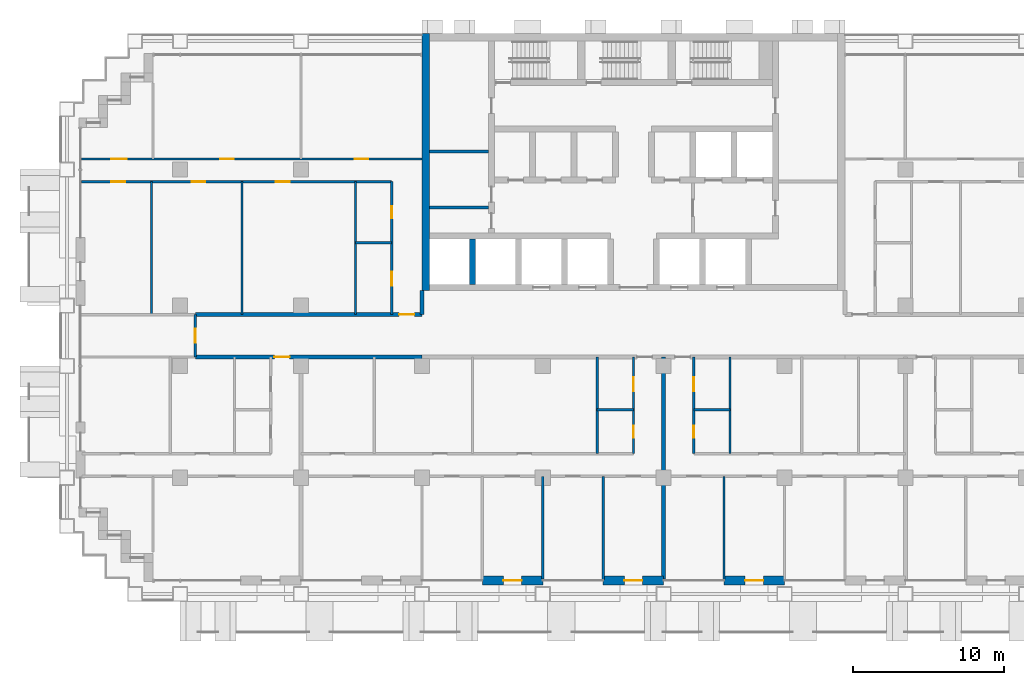
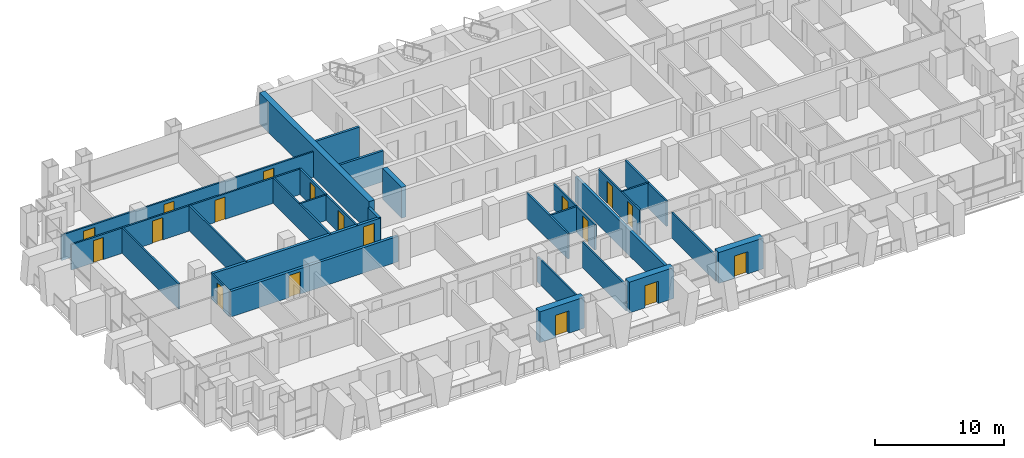
# One storey, part 10 of 18: 28 walls, 18 doors, 18 openings.
"""IFC4 building model written with IfcOpenShell, lengths in metres."""

import ifcopenshell
import ifcopenshell.guid

model = None  # the IFC model being written
_history = None  # IfcOwnerHistory: only IFC2X3 demands one
_inside = {}  # id of a spatial element -> (the spatial element, [elements in it])
_under = {}  # id of a project, library or spatial element -> (it, [spatial elements below it])
_declared = {}  # id of a project -> (the project, [libraries it declares])
_typed = {}  # id of a type object -> (the type object, [elements of that type])
_made_of = {}  # id of a material, layer set ... -> (it, [elements and type objects made of it])


def new_model(schema):
    """Start an empty IFC model of exactly this schema.

    Asked for "IFC4X3", IfcOpenShell would pick the latest addendum, in which some entities
    have other attributes; the version numbers below select the first issue.
    IFC2X3 requires an IfcOwnerHistory on every rooted entity: one is made here for all.
    """
    global model, _history
    if schema == "IFC4X3":
        model = ifcopenshell.file(schema_version=(4, 3, 0, 0))
    else:
        model = ifcopenshell.file(schema=schema)
    _inside.clear()
    _under.clear()
    _declared.clear()
    _typed.clear()
    _made_of.clear()
    _history = None
    if model.schema == "IFC2X3":
        org = make("IfcOrganization", Name="unknown")
        user = make(
            "IfcPersonAndOrganization",
            ThePerson=make("IfcPerson", FamilyName="unknown"),
            TheOrganization=org,
        )
        app = make(
            "IfcApplication",
            ApplicationDeveloper=org,
            Version="unknown",
            ApplicationFullName="unknown",
            ApplicationIdentifier="unknown",
        )
        _history = make(
            "IfcOwnerHistory",
            OwningUser=user,
            OwningApplication=app,
            ChangeAction="ADDED",
            CreationDate=0,
        )
    return model


def make(cls, **values):
    """One entity of the class cls with the attributes given. An attribute that is None is left unset."""
    return model.create_entity(
        cls, **{name: value for name, value in values.items() if value is not None}
    )


def rooted(cls, **values):
    """An entity with a GlobalId (a new one), such as an element, a storey or a relation."""
    return make(cls, GlobalId=ifcopenshell.guid.new(), OwnerHistory=_history, **values)


def si_unit(unit_type, name, prefix=None):
    """IfcSIUnit, for example si_unit("LENGTHUNIT", "METRE", prefix="MILLI")."""
    return make("IfcSIUnit", UnitType=unit_type, Prefix=prefix, Name=name)


def assignment(units):
    """IfcUnitAssignment: the units of a project."""
    return None if units is None else make("IfcUnitAssignment", Units=units)


def point(xyz):
    """IfcCartesianPoint."""
    return None if xyz is None else make("IfcCartesianPoint", Coordinates=xyz)


def direction(xyz):
    """IfcDirection."""
    return None if xyz is None else make("IfcDirection", DirectionRatios=xyz)


def frame(location, z_axis=None, x_axis=None):
    """IfcAxis2Placement3D, a coordinate frame: its origin and axes. An axis left out is left unset."""
    return make(
        "IfcAxis2Placement3D",
        Location=point(location),
        Axis=direction(z_axis),
        RefDirection=direction(x_axis),
    )


def frame_2d(location, x_axis=None):
    """IfcAxis2Placement2D, a coordinate frame in the plane: its origin and x axis."""
    return make(
        "IfcAxis2Placement2D", Location=point(location), RefDirection=direction(x_axis)
    )


def origin():
    """The frame at (0, 0, 0) with its axes left unset."""
    return frame((0.0, 0.0, 0.0))


def place(relative_to, where):
    """IfcLocalPlacement: puts the frame where relative to a parent placement (None: the world)."""
    return make(
        "IfcLocalPlacement", PlacementRelTo=relative_to, RelativePlacement=where
    )


def context(
    kind, dimensions, precision=None, world=None, true_north=None, identifier=None
):
    """IfcGeometricRepresentationContext, for example the 3D "Model" context."""
    return make(
        "IfcGeometricRepresentationContext",
        ContextIdentifier=identifier,
        ContextType=kind,
        CoordinateSpaceDimension=dimensions,
        Precision=precision,
        WorldCoordinateSystem=world,
        TrueNorth=true_north,
    )


def subcontext(parent, identifier, kind, view, scale=None):
    """IfcGeometricRepresentationSubContext, for example "Body" below "Model"."""
    return make(
        "IfcGeometricRepresentationSubContext",
        ContextIdentifier=identifier,
        ContextType=kind,
        ParentContext=parent,
        TargetScale=scale,
        TargetView=view,
    )


def project(units=None, contexts=None):
    """IfcProject with its units and contexts."""
    return rooted(
        "IfcProject",
        Name="project",
        RepresentationContexts=contexts,
        UnitsInContext=assignment(units),
    )


def spatial(cls, under=None, at=None, **own):
    """A site, building, storey or space (cls), placed at a placement, below another one or the project."""
    s = rooted(cls, ObjectPlacement=at, **own)
    if under is not None:
        _under.setdefault(under.id(), (under, []))[1].append(s)
    return s


def profile(cls, at=None, kind="AREA", **sizes):
    """A parametric profile (cls). Its sizes go by their IFC names, for example OverallWidth=200.0."""
    return make(cls, ProfileType=kind, Position=at, **sizes)


def rectangle(**sizes):
    """IfcRectangleProfileDef."""
    return profile("IfcRectangleProfileDef", **sizes)


def extrude(swept, where, along, depth):
    """IfcExtrudedAreaSolid: the profile swept, set in the frame where, extruded along a direction by depth."""
    return make(
        "IfcExtrudedAreaSolid",
        SweptArea=swept,
        Position=where,
        ExtrudedDirection=direction(along),
        Depth=depth,
    )


def shape(context_of_items, identifier, shape_type, items):
    """IfcShapeRepresentation: the items that make up one representation, for example the "Body"."""
    return make(
        "IfcShapeRepresentation",
        ContextOfItems=context_of_items,
        RepresentationIdentifier=identifier,
        RepresentationType=shape_type,
        Items=items,
    )


def material(Name=None, Category=None):
    """IfcMaterial."""
    return make("IfcMaterial", Name=Name, Category=Category)


def layer(
    of_material, thickness, ventilated=None, Name=None, Category=None, Priority=None
):
    """IfcMaterialLayer: one layer of a wall or slab, of a material (None: an air gap)."""
    return make(
        "IfcMaterialLayer",
        Material=of_material,
        LayerThickness=thickness,
        IsVentilated=ventilated,
        Name=Name,
        Category=Category,
        Priority=Priority,
    )


def layer_set(layers, Name=None):
    """IfcMaterialLayerSet."""
    return make("IfcMaterialLayerSet", MaterialLayers=layers, LayerSetName=Name)


def made_of(thing, what):
    """Note that an element or type object is made of a material, layer set ...; save() writes the relation."""
    if what is not None:
        _made_of.setdefault(what.id(), (what, []))[1].append(thing)
    return thing


def type_object(cls, material=None, **own):
    """A type object (cls), such as IfcWallType, which elements share."""
    return made_of(rooted(cls, **own), material)


def element(
    cls,
    number,
    at=None,
    inside=None,
    cuts=None,
    type_object=None,
    material=None,
    context=None,
    identifier="Body",
    shape_type=None,
    held_by="IfcProductDefinitionShape",
    body=None,
    shapes=None,
    **own,
):
    """One element of the class cls, such as IfcWall. Its Tag is "e" and its number.

    at: its placement. inside: the storey or other place that contains it. cuts: it is an
    opening in that element (IfcRelVoidsElement). A single representation is given by context,
    identifier, shape_type and body (its items); several are given by shapes. held_by: the class
    of the entity that holds the representations. save() writes the other relations.
    """
    e = rooted(cls, Tag="e%d" % number, ObjectPlacement=at, **own)
    if body is not None:
        shapes = [shape(context, identifier, shape_type, body)]
    if shapes is not None:
        e.Representation = make(held_by, Representations=shapes)
    if inside is not None:
        _inside.setdefault(inside.id(), (inside, []))[1].append(e)
    if cuts is not None:
        rooted(
            "IfcRelVoidsElement", RelatingBuildingElement=cuts, RelatedOpeningElement=e
        )
    if type_object is not None:
        _typed.setdefault(type_object.id(), (type_object, []))[1].append(e)
    return made_of(e, material)


def fill(opening, filler):
    """IfcRelFillsElement: the door or window that sits in an opening."""
    return rooted(
        "IfcRelFillsElement",
        RelatingOpeningElement=opening,
        RelatedBuildingElement=filler,
    )


def aggregate(whole, parts):
    """IfcRelAggregates: a whole, such as a stair, and the parts it consists of."""
    return rooted("IfcRelAggregates", RelatingObject=whole, RelatedObjects=parts)


def save(model, path):
    """Write the relations noted so far, then the file.

    IfcRelAggregates (storeys below a building ...), IfcRelContainedInSpatialStructure (elements
    in a storey), IfcRelDefinesByType, IfcRelAssociatesMaterial and IfcRelDeclares: one each for
    every whole, place, type object, material and project.
    """
    for whole, parts in _under.values():
        aggregate(whole, parts)
    for where, things in _inside.values():
        rooted(
            "IfcRelContainedInSpatialStructure",
            RelatedElements=things,
            RelatingStructure=where,
        )
    for kind, things in _typed.values():
        rooted("IfcRelDefinesByType", RelatedObjects=things, RelatingType=kind)
    for what, things in _made_of.values():
        rooted("IfcRelAssociatesMaterial", RelatedObjects=things, RelatingMaterial=what)
    for by, libraries in _declared.values():
        rooted("IfcRelDeclares", RelatingContext=by, RelatedDefinitions=libraries)
    model.write(path)


model = new_model("IFC4")

# Units and contexts
model_context = context("Model", 3, precision=1e-05, world=origin(), true_north=direction((0.0, 1.0)))
body_context = subcontext(model_context, "Body", "Model", "MODEL_VIEW")
ifc_project = project(units=[si_unit("LENGTHUNIT", "METRE"), si_unit("AREAUNIT", "SQUARE_METRE"), si_unit("VOLUMEUNIT", "CUBIC_METRE"), si_unit("PLANEANGLEUNIT", "RADIAN"), si_unit("MASSUNIT", "GRAM", prefix="KILO")], contexts=[model_context])

# Site, building, storey
site_placement = place(None, origin())
site = spatial("IfcSite", under=ifc_project, at=site_placement, CompositionType="ELEMENT")
building_placement = place(site_placement, origin())
building = spatial("IfcBuilding", under=site, at=building_placement, Name="Vidyagriha Tower", CompositionType="ELEMENT")
storey_placement = place(building_placement, frame((0.0, 0.0, 41.60009765625)))
storey = spatial("IfcBuildingStorey", under=building, at=storey_placement, Name="L10", CompositionType="ELEMENT", Elevation=41.60009765625)

# Wall, opening, door
ifc_material_1 = material(Name="Precast concrete C40/50 with brick facing", Category="concrete")
ifc_layer_1 = layer(ifc_material_1, 0.60009765625)
ifc_layer_set_1 = layer_set([ifc_layer_1], Name="Precast concrete C40/50 with brick facing")
wall_type_1 = type_object("IfcWallType", Name="Brick-faced precast wall 600", PredefinedType="STANDARD", material=ifc_layer_set_1)
wall_1_placement = place(storey_placement, frame((-10.0, -16.199951171875, 0.0)))
wall_1 = element("IfcWall", 1, at=wall_1_placement, inside=storey, type_object=wall_type_1, Name="Brick door bay wall L10 R23.7", PredefinedType="STANDARD", context=body_context, shape_type="SweptSolid", body=[
    extrude(rectangle(XDim=4.0, YDim=0.60009765625, at=frame_2d((2.0, 0.0))), origin(), (0.0, 0.0, 1.0), 2.919921875),
])
opening_1_placement = place(wall_1_placement, frame((1.39990234375, 0.0, 0.0)))
opening_1 = element("IfcOpeningElement", 2, at=opening_1_placement, cuts=wall_1, Name="Opening D10-81", PredefinedType="OPENING", context=body_context, shape_type="SweptSolid", body=[
    extrude(rectangle(XDim=1.199951171875, YDim=2.10009765625, at=frame_2d((0.60009765625, 1.050048828125))), frame((0.0, 0.31005859375, 0.0), z_axis=(0.0, -1.0, 0.0), x_axis=(1.0, 0.0, 0.0)), (0.0, 0.0, 1.0), 0.6201171875),
])
ifc_material_2 = material(Name="Aluminium framed glazed sliding door", Category="aluminium")
door_type_1 = type_object("IfcDoorType", Name="Balcony sliding door 1200x2100", OperationType="NOTDEFINED", PredefinedType="DOOR", material=ifc_material_2)
door_1_placement = place(opening_1_placement, origin())
door_1 = element("IfcDoor", 3, at=door_1_placement, inside=storey, type_object=door_type_1, Name="Door D10-81", OperationType="SLIDING_TO_LEFT", OverallHeight=2.10009765625, OverallWidth=1.199951171875, PredefinedType="DOOR", context=body_context, shape_type="SweptSolid", body=[
    extrude(rectangle(XDim=1.199951171875, YDim=2.10009765625, at=frame_2d((0.60009765625, 1.050048828125))), frame((0.0, 0.02490234375, 0.0), z_axis=(0.0, -1.0, 0.0), x_axis=(1.0, 0.0, 0.0)), (0.0, 0.0, 1.0), 0.050048828125),
])
fill(opening_1, door_1)

wall_2_placement = place(storey_placement, frame((-2.0, -16.199951171875, 0.0)))
wall_2 = element("IfcWall", 4, at=wall_2_placement, inside=storey, type_object=wall_type_1, Name="Brick door bay wall L10 R23.9", PredefinedType="STANDARD", context=body_context, shape_type="SweptSolid", body=[
    extrude(rectangle(XDim=4.0, YDim=0.60009765625, at=frame_2d((2.0, 0.0))), origin(), (0.0, 0.0, 1.0), 2.919921875),
])
opening_2_placement = place(wall_2_placement, frame((1.39990234375, 0.0, 0.0)))
opening_2 = element("IfcOpeningElement", 5, at=opening_2_placement, cuts=wall_2, Name="Opening D10-82", PredefinedType="OPENING", context=body_context, shape_type="SweptSolid", body=[
    extrude(rectangle(XDim=1.199951171875, YDim=2.10009765625, at=frame_2d((0.60009765625, 1.050048828125))), frame((0.0, 0.31005859375, 0.0), z_axis=(0.0, -1.0, 0.0), x_axis=(1.0, 0.0, 0.0)), (0.0, 0.0, 1.0), 0.6201171875),
])
door_2_placement = place(opening_2_placement, origin())
door_2 = element("IfcDoor", 6, at=door_2_placement, inside=storey, type_object=door_type_1, Name="Door D10-82", OperationType="SLIDING_TO_LEFT", OverallHeight=2.10009765625, OverallWidth=1.199951171875, PredefinedType="DOOR", context=body_context, shape_type="SweptSolid", body=[
    extrude(rectangle(XDim=1.199951171875, YDim=2.10009765625, at=frame_2d((0.60009765625, 1.050048828125))), frame((0.0, 0.02490234375, 0.0), z_axis=(0.0, -1.0, 0.0), x_axis=(1.0, 0.0, 0.0)), (0.0, 0.0, 1.0), 0.050048828125),
])
fill(opening_2, door_2)

wall_3_placement = place(storey_placement, frame((6.0, -16.199951171875, 0.0)))
wall_3 = element("IfcWall", 7, at=wall_3_placement, inside=storey, type_object=wall_type_1, Name="Brick door bay wall L10 R23.11", PredefinedType="STANDARD", context=body_context, shape_type="SweptSolid", body=[
    extrude(rectangle(XDim=4.0, YDim=0.60009765625, at=frame_2d((2.0, 0.0))), origin(), (0.0, 0.0, 1.0), 2.919921875),
])
opening_3_placement = place(wall_3_placement, frame((1.39990234375, 0.0, 0.0)))
opening_3 = element("IfcOpeningElement", 8, at=opening_3_placement, cuts=wall_3, Name="Opening D10-83", PredefinedType="OPENING", context=body_context, shape_type="SweptSolid", body=[
    extrude(rectangle(XDim=1.199951171875, YDim=2.10009765625, at=frame_2d((0.60009765625, 1.050048828125))), frame((0.0, 0.31005859375, 0.0), z_axis=(0.0, -1.0, 0.0), x_axis=(1.0, 0.0, 0.0)), (0.0, 0.0, 1.0), 0.6201171875),
])
door_3_placement = place(opening_3_placement, origin())
door_3 = element("IfcDoor", 9, at=door_3_placement, inside=storey, type_object=door_type_1, Name="Door D10-83", OperationType="SLIDING_TO_LEFT", OverallHeight=2.10009765625, OverallWidth=1.199951171875, PredefinedType="DOOR", context=body_context, shape_type="SweptSolid", body=[
    extrude(rectangle(XDim=1.199951171875, YDim=2.10009765625, at=frame_2d((0.60009765625, 1.050048828125))), frame((0.0, 0.02490234375, 0.0), z_axis=(0.0, -1.0, 0.0), x_axis=(1.0, 0.0, 0.0)), (0.0, 0.0, 1.0), 0.050048828125),
])
fill(opening_3, door_3)

# Walls
ifc_material_3 = material(Name="Concrete C60/75", Category="concrete")
ifc_layer_2 = layer(ifc_material_3, 0.39990234375)
ifc_layer_set_2 = layer_set([ifc_layer_2], Name="Concrete C60/75")
wall_type_2 = type_object("IfcWallType", Name="Core shear wall 400 mm", PredefinedType="SHEAR", material=ifc_layer_set_2)
wall_4_placement = place(storey_placement, frame((-10.655517578125, 3.39990234375, 0.0), z_axis=(0.0, 0.0, 1.0), x_axis=(0.0, 1.0, 0.0)))
element("IfcWall", 10, at=wall_4_placement, inside=storey, type_object=wall_type_2, Name="Core bay wall S1", PredefinedType="SHEAR", context=body_context, shape_type="SweptSolid", body=[
    extrude(rectangle(XDim=3.0, YDim=0.39990234375, at=frame_2d((1.5, 0.0))), origin(), (0.0, 0.0, 1.0), 2.919921875),
])
ifc_material_4 = material(Name="Concrete C60/75", Category="concrete")
ifc_layer_3 = layer(ifc_material_4, 0.5)
ifc_layer_set_3 = layer_set([ifc_layer_3], Name="Concrete C60/75")
wall_type_3 = type_object("IfcWallType", Name="Core shear wall 500 mm", PredefinedType="SHEAR", material=ifc_layer_set_3)
wall_5_placement = place(storey_placement, frame((-13.75, 3.0, 0.0), z_axis=(0.0, 0.0, 1.0), x_axis=(0.0, 1.0, 0.0)))
element("IfcWall", 11, at=wall_5_placement, inside=storey, type_object=wall_type_3, Name="Core west wall", PredefinedType="SHEAR", context=body_context, shape_type="SweptSolid", body=[
    extrude(rectangle(XDim=17.0, YDim=0.5, at=frame_2d((8.5, 0.0))), origin(), (0.0, 0.0, 1.0), 2.919921875),
])

# Wall, opening, door
ifc_material_5 = material(Name="Fired clay brick masonry", Category="masonry")
ifc_layer_4 = layer(ifc_material_5, 0.25)
ifc_layer_set_4 = layer_set([ifc_layer_4], Name="Fired clay brick masonry")
wall_type_4 = type_object("IfcWallType", Name="Fired clay brick corridor wall 250", PredefinedType="PARTITIONING", material=ifc_layer_set_4)
wall_6_placement = place(storey_placement, frame((-14.0, -1.39990234375, 0.0), z_axis=(0.0, 0.0, 1.0), x_axis=(-1.0, 0.0, 0.0)))
wall_6 = element("IfcWall", 12, at=wall_6_placement, inside=storey, type_object=wall_type_4, Name="Wall all-L10-w080", PredefinedType="PARTITIONING", context=body_context, shape_type="SweptSolid", body=[
    extrude(rectangle(XDim=15.0, YDim=0.25, at=frame_2d((7.5, 0.0))), origin(), (0.0, 0.0, 1.0), 2.39990234375),
])
opening_4_placement = place(wall_6_placement, frame((8.760009765625, 0.0, 0.0)))
opening_4 = element("IfcOpeningElement", 13, at=opening_4_placement, cuts=wall_6, Name="Opening D10-21", PredefinedType="OPENING", context=body_context, shape_type="SweptSolid", body=[
    extrude(rectangle(XDim=1.0, YDim=2.10009765625, at=frame_2d((0.5, 1.050048828125))), frame((0.0, 0.135009765625, 0.0), z_axis=(0.0, -1.0, 0.0), x_axis=(1.0, 0.0, 0.0)), (0.0, 0.0, 1.0), 0.27001953125),
])
ifc_material_6 = material(Name="Fire-rated timber door leaf EI 60", Category="wood")
door_type_2 = type_object("IfcDoorType", Name="Flat entrance fire door 1000x2100", OperationType="NOTDEFINED", PredefinedType="DOOR", material=ifc_material_6)
door_4_placement = place(opening_4_placement, origin())
door_4 = element("IfcDoor", 14, at=door_4_placement, inside=storey, type_object=door_type_2, Name="Door D10-21", OperationType="SINGLE_SWING_LEFT", OverallHeight=2.10009765625, OverallWidth=1.0, PredefinedType="DOOR", context=body_context, shape_type="SweptSolid", body=[
    extrude(rectangle(XDim=1.0, YDim=2.10009765625, at=frame_2d((0.5, 1.050048828125))), frame((0.0, 0.02490234375, 0.0), z_axis=(0.0, -1.0, 0.0), x_axis=(1.0, 0.0, 0.0)), (0.0, 0.0, 1.0), 0.050048828125),
])
fill(opening_4, door_4)

wall_7_placement = place(storey_placement, frame((-29.0, 1.39990234375, 0.0)))
wall_7 = element("IfcWall", 15, at=wall_7_placement, inside=storey, type_object=wall_type_4, Name="Wall all-L10-w102", PredefinedType="PARTITIONING", context=body_context, shape_type="SweptSolid", body=[
    extrude(rectangle(XDim=15.0, YDim=0.25, at=frame_2d((7.5, 0.0))), origin(), (0.0, 0.0, 1.0), 2.39990234375),
])
opening_5_placement = place(wall_7_placement, frame((13.5, 0.0, 0.0)))
opening_5 = element("IfcOpeningElement", 16, at=opening_5_placement, cuts=wall_7, Name="Opening D10-61", PredefinedType="OPENING", context=body_context, shape_type="SweptSolid", body=[
    extrude(rectangle(XDim=1.0, YDim=2.10009765625, at=frame_2d((0.5, 1.050048828125))), frame((0.0, 0.135009765625, 0.0), z_axis=(0.0, -1.0, 0.0), x_axis=(1.0, 0.0, 0.0)), (0.0, 0.0, 1.0), 0.27001953125),
])
door_5_placement = place(opening_5_placement, origin())
door_5 = element("IfcDoor", 17, at=door_5_placement, inside=storey, type_object=door_type_2, Name="Door D10-61", OperationType="SINGLE_SWING_RIGHT", OverallHeight=2.10009765625, OverallWidth=1.0, PredefinedType="DOOR", context=body_context, shape_type="SweptSolid", body=[
    extrude(rectangle(XDim=1.0, YDim=2.10009765625, at=frame_2d((0.5, 1.050048828125))), frame((0.0, 0.02490234375, 0.0), z_axis=(0.0, -1.0, 0.0), x_axis=(1.0, 0.0, 0.0)), (0.0, 0.0, 1.0), 0.050048828125),
])
fill(opening_5, door_5)

# Walls
wall_8_placement = place(storey_placement, frame((-14.0, 3.0, 0.0), z_axis=(0.0, 0.0, 1.0), x_axis=(0.0, -1.0, 0.0)))
element("IfcWall", 18, at=wall_8_placement, inside=storey, type_object=wall_type_4, Name="Wall all-L10-w138", PredefinedType="PARTITIONING", context=body_context, shape_type="SweptSolid", body=[
    extrude(rectangle(XDim=1.60009765625, YDim=0.25, at=frame_2d((0.800048828125, 0.0))), origin(), (0.0, 0.0, 1.0), 2.39990234375),
])
ifc_material_7 = material(Name="Fired clay brick masonry", Category="masonry")
ifc_layer_5 = layer(ifc_material_7, 0.25)
ifc_layer_set_5 = layer_set([ifc_layer_5], Name="Fired clay brick masonry")
wall_type_5 = type_object("IfcWallType", Name="Fired clay brick demising wall 250", PredefinedType="PARTITIONING", material=ifc_layer_set_5)
wall_9_placement = place(storey_placement, frame((2.0, -1.39990234375, 0.0), z_axis=(0.0, 0.0, 1.0), x_axis=(0.0, -1.0, 0.0)))
element("IfcWall", 19, at=wall_9_placement, inside=storey, type_object=wall_type_5, Name="Wall all-L10-w058", PredefinedType="PARTITIONING", context=body_context, shape_type="SweptSolid", body=[
    extrude(rectangle(XDim=14.710205078125, YDim=0.25, at=frame_2d((7.35498046875, 0.0))), origin(), (0.0, 0.0, 1.0), 2.39990234375),
])
ifc_material_8 = material(Name="Gypsum board partition")
ifc_layer_6 = layer(ifc_material_8, 0.14990234375)
ifc_layer_set_6 = layer_set([ifc_layer_6], Name="Gypsum board partition")
wall_type_6 = type_object("IfcWallType", Name="Gypsum board partition 150", PredefinedType="PARTITIONING", material=ifc_layer_set_6)
wall_10_placement = place(storey_placement, frame((0.0, -4.89990234375, 0.0), z_axis=(0.0, 0.0, 1.0), x_axis=(-1.0, 0.0, 0.0)))
element("IfcWall", 20, at=wall_10_placement, inside=storey, type_object=wall_type_6, Name="Wall all-L10-w018", PredefinedType="PARTITIONING", context=body_context, shape_type="SweptSolid", body=[
    extrude(rectangle(XDim=2.39990234375, YDim=0.14990234375, at=frame_2d((1.199951171875, 0.0))), origin(), (0.0, 0.0, 1.0), 2.39990234375),
])
wall_11_placement = place(storey_placement, frame((-2.39990234375, -7.800048828125, 0.0), z_axis=(0.0, 0.0, 1.0), x_axis=(0.0, 1.0, 0.0)))
element("IfcWall", 21, at=wall_11_placement, inside=storey, type_object=wall_type_6, Name="Wall all-L10-w019", PredefinedType="PARTITIONING", context=body_context, shape_type="SweptSolid", body=[
    extrude(rectangle(XDim=6.400146484375, YDim=0.14990234375, at=frame_2d((3.2001953125, 0.0))), origin(), (0.0, 0.0, 1.0), 2.39990234375),
])
wall_12_placement = place(storey_placement, frame((-6.0, -9.300048828125, 0.0), z_axis=(0.0, 0.0, 1.0), x_axis=(0.0, -1.0, 0.0)))
element("IfcWall", 22, at=wall_12_placement, inside=storey, type_object=wall_type_6, Name="Wall all-L10-w034", PredefinedType="PARTITIONING", context=body_context, shape_type="SweptSolid", body=[
    extrude(rectangle(XDim=6.81005859375, YDim=0.14990234375, at=frame_2d((3.405029296875, 0.0))), origin(), (0.0, 0.0, 1.0), 2.39990234375),
])
wall_13_placement = place(storey_placement, frame((-2.0, -9.300048828125, 0.0), z_axis=(0.0, 0.0, 1.0), x_axis=(0.0, -1.0, 0.0)))
element("IfcWall", 23, at=wall_13_placement, inside=storey, type_object=wall_type_6, Name="Wall all-L10-w035", PredefinedType="PARTITIONING", context=body_context, shape_type="SweptSolid", body=[
    extrude(rectangle(XDim=6.821044921875, YDim=0.14990234375, at=frame_2d((3.41064453125, 0.0))), origin(), (0.0, 0.0, 1.0), 2.39990234375),
])
wall_14_placement = place(storey_placement, frame((6.39990234375, -4.89990234375, 0.0), z_axis=(0.0, 0.0, 1.0), x_axis=(-1.0, 0.0, 0.0)))
element("IfcWall", 24, at=wall_14_placement, inside=storey, type_object=wall_type_6, Name="Wall all-L10-w041", PredefinedType="PARTITIONING", context=body_context, shape_type="SweptSolid", body=[
    extrude(rectangle(XDim=2.39990234375, YDim=0.14990234375, at=frame_2d((1.199951171875, 0.0))), origin(), (0.0, 0.0, 1.0), 2.39990234375),
])
wall_15_placement = place(storey_placement, frame((6.39990234375, -1.39990234375, 0.0), z_axis=(0.0, 0.0, 1.0), x_axis=(0.0, -1.0, 0.0)))
element("IfcWall", 25, at=wall_15_placement, inside=storey, type_object=wall_type_6, Name="Wall all-L10-w042", PredefinedType="PARTITIONING", context=body_context, shape_type="SweptSolid", body=[
    extrude(rectangle(XDim=6.400146484375, YDim=0.14990234375, at=frame_2d((3.2001953125, 0.0))), origin(), (0.0, 0.0, 1.0), 2.39990234375),
])
wall_16_placement = place(storey_placement, frame((6.0, -9.300048828125, 0.0), z_axis=(0.0, 0.0, 1.0), x_axis=(0.0, -1.0, 0.0)))
element("IfcWall", 26, at=wall_16_placement, inside=storey, type_object=wall_type_6, Name="Wall all-L10-w054", PredefinedType="PARTITIONING", context=body_context, shape_type="SweptSolid", body=[
    extrude(rectangle(XDim=6.821044921875, YDim=0.14990234375, at=frame_2d((3.41064453125, 0.0))), origin(), (0.0, 0.0, 1.0), 2.39990234375),
])
wall_17_placement = place(storey_placement, frame((-18.39990234375, 6.14990234375, 0.0)))
element("IfcWall", 27, at=wall_17_placement, inside=storey, type_object=wall_type_6, Name="Wall all-L10-w087", PredefinedType="PARTITIONING", context=body_context, shape_type="SweptSolid", body=[
    extrude(rectangle(XDim=2.39990234375, YDim=0.14990234375, at=frame_2d((1.199951171875, 0.0))), origin(), (0.0, 0.0, 1.0), 2.39990234375),
])
for number, where, z_axis, x_axis, name in (
    (28, (-18.39990234375, 1.39990234375, 0.0), (0.0, 0.0, 1.0), (0.0, 1.0, 0.0), "Wall all-L10-w088"),
    (29, (-25.89990234375, 1.39990234375, 0.0), (0.0, 0.0, 1.0), (0.0, 1.0, 0.0), "Wall all-L10-w089"),
    (30, (-31.89990234375, 1.39990234375, 0.0), (0.0, 0.0, 1.0), (0.0, 1.0, 0.0), "Wall all-L10-w090"),
):
    element("IfcWall", number, at=place(storey_placement, frame(where, z_axis=z_axis, x_axis=x_axis)), inside=storey, type_object=wall_type_6, Name=name, PredefinedType="PARTITIONING", context=body_context, shape_type="SweptSolid", body=[
        extrude(rectangle(XDim=8.800048828125, YDim=0.14990234375, at=frame_2d((4.39990234375, 0.0))), origin(), (0.0, 0.0, 1.0), 2.39990234375),
    ])

# Wall, openings, doors
wall_18_placement = place(storey_placement, frame((-16.0, 10.199951171875, 0.0), z_axis=(0.0, 0.0, 1.0), x_axis=(-1.0, 0.0, 0.0)))
wall_18 = element("IfcWall", 31, at=wall_18_placement, inside=storey, type_object=wall_type_6, Name="Wall all-L10-w091", PredefinedType="PARTITIONING", context=body_context, shape_type="SweptSolid", body=[
    extrude(rectangle(XDim=20.52001953125, YDim=0.14990234375, at=frame_2d((10.260009765625, 0.0))), origin(), (0.0, 0.0, 1.0), 2.39990234375),
])
opening_6_placement = place(wall_18_placement, frame((6.760009765625, 0.0, 0.0)))
opening_6 = element("IfcOpeningElement", 32, at=opening_6_placement, cuts=wall_18, Name="Opening D10-55", PredefinedType="OPENING", context=body_context, shape_type="SweptSolid", body=[
    extrude(rectangle(XDim=0.89990234375, YDim=2.10009765625, at=frame_2d((0.449951171875, 1.050048828125))), frame((0.0, 0.0849609375, 0.0), z_axis=(0.0, -1.0, 0.0), x_axis=(1.0, 0.0, 0.0)), (0.0, 0.0, 1.0), 0.169921875),
])
opening_7_placement = place(wall_18_placement, frame((12.340087890625, 0.0, 0.0)))
opening_7 = element("IfcOpeningElement", 33, at=opening_7_placement, cuts=wall_18, Name="Opening D10-56", PredefinedType="OPENING", context=body_context, shape_type="SweptSolid", body=[
    extrude(rectangle(XDim=0.89990234375, YDim=2.10009765625, at=frame_2d((0.449951171875, 1.050048828125))), frame((0.0, 0.0849609375, 0.0), z_axis=(0.0, -1.0, 0.0), x_axis=(1.0, 0.0, 0.0)), (0.0, 0.0, 1.0), 0.169921875),
])
opening_8_placement = place(wall_18_placement, frame((17.64990234375, 0.0, 0.0)))
opening_8 = element("IfcOpeningElement", 34, at=opening_8_placement, cuts=wall_18, Name="Opening D10-57", PredefinedType="OPENING", context=body_context, shape_type="SweptSolid", body=[
    extrude(rectangle(XDim=0.89990234375, YDim=2.10009765625, at=frame_2d((0.449951171875, 1.050048828125))), frame((0.0, 0.0849609375, 0.0), z_axis=(0.0, -1.0, 0.0), x_axis=(1.0, 0.0, 0.0)), (0.0, 0.0, 1.0), 0.169921875),
])
ifc_material_9 = material(Name="Timber door leaf", Category="wood")
door_type_3 = type_object("IfcDoorType", Name="Room door 900x2100", OperationType="NOTDEFINED", PredefinedType="DOOR", material=ifc_material_9)
door_6_placement = place(opening_6_placement, origin())
door_6 = element("IfcDoor", 35, at=door_6_placement, inside=storey, type_object=door_type_3, Name="Door D10-55", OperationType="SINGLE_SWING_RIGHT", OverallHeight=2.10009765625, OverallWidth=0.89990234375, PredefinedType="DOOR", context=body_context, shape_type="SweptSolid", body=[
    extrude(rectangle(XDim=0.89990234375, YDim=2.10009765625, at=frame_2d((0.449951171875, 1.050048828125))), frame((0.0, 0.02490234375, 0.0), z_axis=(0.0, -1.0, 0.0), x_axis=(1.0, 0.0, 0.0)), (0.0, 0.0, 1.0), 0.050048828125),
])
fill(opening_6, door_6)
door_7_placement = place(opening_7_placement, origin())
door_7 = element("IfcDoor", 36, at=door_7_placement, inside=storey, type_object=door_type_3, Name="Door D10-56", OperationType="SINGLE_SWING_LEFT", OverallHeight=2.10009765625, OverallWidth=0.89990234375, PredefinedType="DOOR", context=body_context, shape_type="SweptSolid", body=[
    extrude(rectangle(XDim=0.89990234375, YDim=2.10009765625, at=frame_2d((0.449951171875, 1.050048828125))), frame((0.0, 0.02490234375, 0.0), z_axis=(0.0, -1.0, 0.0), x_axis=(1.0, 0.0, 0.0)), (0.0, 0.0, 1.0), 0.050048828125),
])
fill(opening_7, door_7)
door_8_placement = place(opening_8_placement, origin())
door_8 = element("IfcDoor", 37, at=door_8_placement, inside=storey, type_object=door_type_3, Name="Door D10-57", OperationType="SINGLE_SWING_RIGHT", OverallHeight=2.10009765625, OverallWidth=0.89990234375, PredefinedType="DOOR", context=body_context, shape_type="SweptSolid", body=[
    extrude(rectangle(XDim=0.89990234375, YDim=2.10009765625, at=frame_2d((0.449951171875, 1.050048828125))), frame((0.0, 0.02490234375, 0.0), z_axis=(0.0, -1.0, 0.0), x_axis=(1.0, 0.0, 0.0)), (0.0, 0.0, 1.0), 0.050048828125),
])
fill(opening_8, door_8)

wall_19_placement = place(storey_placement, frame((-36.52001953125, 11.699951171875, 0.0)))
wall_19 = element("IfcWall", 38, at=wall_19_placement, inside=storey, type_object=wall_type_6, Name="Wall all-L10-w095", PredefinedType="PARTITIONING", context=body_context, shape_type="SweptSolid", body=[
    extrude(rectangle(XDim=22.52001953125, YDim=0.14990234375, at=frame_2d((11.260009765625, 0.0))), origin(), (0.0, 0.0, 1.0), 2.39990234375),
])
opening_9_placement = place(wall_19_placement, frame((1.969970703125, 0.0, 0.0)))
opening_9 = element("IfcOpeningElement", 39, at=opening_9_placement, cuts=wall_19, Name="Opening D10-58", PredefinedType="OPENING", context=body_context, shape_type="SweptSolid", body=[
    extrude(rectangle(XDim=1.0, YDim=2.10009765625, at=frame_2d((0.5, 1.050048828125))), frame((0.0, 0.0849609375, 0.0), z_axis=(0.0, -1.0, 0.0), x_axis=(1.0, 0.0, 0.0)), (0.0, 0.0, 1.0), 0.169921875),
])
opening_10_placement = place(wall_19_placement, frame((9.169921875, 0.0, 0.0)))
opening_10 = element("IfcOpeningElement", 40, at=opening_10_placement, cuts=wall_19, Name="Opening D10-59", PredefinedType="OPENING", context=body_context, shape_type="SweptSolid", body=[
    extrude(rectangle(XDim=0.89990234375, YDim=2.10009765625, at=frame_2d((0.449951171875, 1.050048828125))), frame((0.0, 0.0849609375, 0.0), z_axis=(0.0, -1.0, 0.0), x_axis=(1.0, 0.0, 0.0)), (0.0, 0.0, 1.0), 0.169921875),
])
opening_11_placement = place(wall_19_placement, frame((18.070068359375, 0.0, 0.0)))
opening_11 = element("IfcOpeningElement", 41, at=opening_11_placement, cuts=wall_19, Name="Opening D10-60", PredefinedType="OPENING", context=body_context, shape_type="SweptSolid", body=[
    extrude(rectangle(XDim=0.89990234375, YDim=2.10009765625, at=frame_2d((0.449951171875, 1.050048828125))), frame((0.0, 0.0849609375, 0.0), z_axis=(0.0, -1.0, 0.0), x_axis=(1.0, 0.0, 0.0)), (0.0, 0.0, 1.0), 0.169921875),
])
ifc_material_10 = material(Name="Timber door leaf", Category="wood")
door_type_4 = type_object("IfcDoorType", Name="Room door 1000x2100", OperationType="NOTDEFINED", PredefinedType="DOOR", material=ifc_material_10)
door_9_placement = place(opening_9_placement, origin())
door_9 = element("IfcDoor", 42, at=door_9_placement, inside=storey, type_object=door_type_4, Name="Door D10-58", OperationType="SINGLE_SWING_RIGHT", OverallHeight=2.10009765625, OverallWidth=1.0, PredefinedType="DOOR", context=body_context, shape_type="SweptSolid", body=[
    extrude(rectangle(XDim=1.0, YDim=2.10009765625, at=frame_2d((0.5, 1.050048828125))), frame((0.0, 0.02490234375, 0.0), z_axis=(0.0, -1.0, 0.0), x_axis=(1.0, 0.0, 0.0)), (0.0, 0.0, 1.0), 0.050048828125),
])
fill(opening_9, door_9)
door_10_placement = place(opening_10_placement, origin())
door_10 = element("IfcDoor", 43, at=door_10_placement, inside=storey, type_object=door_type_3, Name="Door D10-59", OperationType="SINGLE_SWING_RIGHT", OverallHeight=2.10009765625, OverallWidth=0.89990234375, PredefinedType="DOOR", context=body_context, shape_type="SweptSolid", body=[
    extrude(rectangle(XDim=0.89990234375, YDim=2.10009765625, at=frame_2d((0.449951171875, 1.050048828125))), frame((0.0, 0.02490234375, 0.0), z_axis=(0.0, -1.0, 0.0), x_axis=(1.0, 0.0, 0.0)), (0.0, 0.0, 1.0), 0.050048828125),
])
fill(opening_10, door_10)
door_11_placement = place(opening_11_placement, origin())
door_11 = element("IfcDoor", 44, at=door_11_placement, inside=storey, type_object=door_type_3, Name="Door D10-60", OperationType="SINGLE_SWING_RIGHT", OverallHeight=2.10009765625, OverallWidth=0.89990234375, PredefinedType="DOOR", context=body_context, shape_type="SweptSolid", body=[
    extrude(rectangle(XDim=0.89990234375, YDim=2.10009765625, at=frame_2d((0.449951171875, 1.050048828125))), frame((0.0, 0.02490234375, 0.0), z_axis=(0.0, -1.0, 0.0), x_axis=(1.0, 0.0, 0.0)), (0.0, 0.0, 1.0), 0.050048828125),
])
fill(opening_11, door_11)

# Wall, opening, door
wall_20_placement = place(storey_placement, frame((-29.0, 1.39990234375, 0.0), z_axis=(0.0, 0.0, 1.0), x_axis=(0.0, -1.0, 0.0)))
wall_20 = element("IfcWall", 45, at=wall_20_placement, inside=storey, type_object=wall_type_6, Name="Wall all-L10-w133", PredefinedType="PARTITIONING", context=body_context, shape_type="SweptSolid", body=[
    extrude(rectangle(XDim=2.7998046875, YDim=0.14990234375, at=frame_2d((1.39990234375, 0.0))), origin(), (0.0, 0.0, 1.0), 2.39990234375),
])
opening_12_placement = place(wall_20_placement, frame((0.949951171875, 0.0, 0.0)))
opening_12 = element("IfcOpeningElement", 46, at=opening_12_placement, cuts=wall_20, Name="Opening D10-75", PredefinedType="OPENING", context=body_context, shape_type="SweptSolid", body=[
    extrude(rectangle(XDim=0.89990234375, YDim=2.10009765625, at=frame_2d((0.449951171875, 1.050048828125))), frame((0.0, 0.0849609375, 0.0), z_axis=(0.0, -1.0, 0.0), x_axis=(1.0, 0.0, 0.0)), (0.0, 0.0, 1.0), 0.169921875),
])
door_12_placement = place(opening_12_placement, origin())
door_12 = element("IfcDoor", 47, at=door_12_placement, inside=storey, type_object=door_type_3, Name="Door D10-75", OperationType="SINGLE_SWING_RIGHT", OverallHeight=2.10009765625, OverallWidth=0.89990234375, PredefinedType="DOOR", context=body_context, shape_type="SweptSolid", body=[
    extrude(rectangle(XDim=0.89990234375, YDim=2.10009765625, at=frame_2d((0.449951171875, 1.050048828125))), frame((0.0, 0.02490234375, 0.0), z_axis=(0.0, -1.0, 0.0), x_axis=(1.0, 0.0, 0.0)), (0.0, 0.0, 1.0), 0.050048828125),
])
fill(opening_12, door_12)

# Wall, openings, doors
ifc_material_11 = material(Name="Moisture resistant gypsum board partition")
ifc_layer_7 = layer(ifc_material_11, 0.14990234375)
ifc_layer_set_7 = layer_set([ifc_layer_7], Name="Moisture resistant gypsum board partition")
wall_type_7 = type_object("IfcWallType", Name="Gypsum board wet-area partition 150", PredefinedType="PARTITIONING", material=ifc_layer_set_7)
wall_21_placement = place(storey_placement, frame((0.0, -7.800048828125, 0.0), z_axis=(0.0, 0.0, 1.0), x_axis=(0.0, 1.0, 0.0)))
wall_21 = element("IfcWall", 48, at=wall_21_placement, inside=storey, type_object=wall_type_7, Name="Wall all-L10-w015", PredefinedType="PARTITIONING", context=body_context, shape_type="SweptSolid", body=[
    extrude(rectangle(XDim=6.400146484375, YDim=0.14990234375, at=frame_2d((3.2001953125, 0.0))), origin(), (0.0, 0.0, 1.0), 2.39990234375),
])
opening_13_placement = place(wall_21_placement, frame((4.139892578125, 0.0, 0.0)))
opening_13 = element("IfcOpeningElement", 49, at=opening_13_placement, cuts=wall_21, Name="Opening D10-22", PredefinedType="OPENING", context=body_context, shape_type="SweptSolid", body=[
    extrude(rectangle(XDim=0.89990234375, YDim=2.10009765625, at=frame_2d((0.449951171875, 1.050048828125))), frame((0.0, 0.0849609375, 0.0), z_axis=(0.0, -1.0, 0.0), x_axis=(1.0, 0.0, 0.0)), (0.0, 0.0, 1.0), 0.169921875),
])
opening_14_placement = place(wall_21_placement, frame((1.050048828125, 0.0, 0.0)))
opening_14 = element("IfcOpeningElement", 50, at=opening_14_placement, cuts=wall_21, Name="Opening D10-23", PredefinedType="OPENING", context=body_context, shape_type="SweptSolid", body=[
    extrude(rectangle(XDim=0.800048828125, YDim=2.10009765625, at=frame_2d((0.39990234375, 1.050048828125))), frame((0.0, 0.0849609375, 0.0), z_axis=(0.0, -1.0, 0.0), x_axis=(1.0, 0.0, 0.0)), (0.0, 0.0, 1.0), 0.169921875),
])
ifc_material_12 = material(Name="Timber door leaf", Category="wood")
door_type_5 = type_object("IfcDoorType", Name="Bathroom door 800x2100", OperationType="NOTDEFINED", PredefinedType="DOOR", material=ifc_material_12)
door_13_placement = place(opening_14_placement, origin())
door_13 = element("IfcDoor", 51, at=door_13_placement, inside=storey, type_object=door_type_5, Name="Door D10-23", OperationType="SINGLE_SWING_RIGHT", OverallHeight=2.10009765625, OverallWidth=0.800048828125, PredefinedType="DOOR", context=body_context, shape_type="SweptSolid", body=[
    extrude(rectangle(XDim=0.800048828125, YDim=2.10009765625, at=frame_2d((0.39990234375, 1.050048828125))), frame((0.0, 0.02490234375, 0.0), z_axis=(0.0, -1.0, 0.0), x_axis=(1.0, 0.0, 0.0)), (0.0, 0.0, 1.0), 0.050048828125),
])
fill(opening_14, door_13)
ifc_material_13 = material(Name="Timber door leaf", Category="wood")
door_type_6 = type_object("IfcDoorType", Name="Kitchen door 900x2100", OperationType="NOTDEFINED", PredefinedType="DOOR", material=ifc_material_13)
door_14_placement = place(opening_13_placement, origin())
door_14 = element("IfcDoor", 52, at=door_14_placement, inside=storey, type_object=door_type_6, Name="Door D10-22", OperationType="SINGLE_SWING_LEFT", OverallHeight=2.10009765625, OverallWidth=0.89990234375, PredefinedType="DOOR", context=body_context, shape_type="SweptSolid", body=[
    extrude(rectangle(XDim=0.89990234375, YDim=2.10009765625, at=frame_2d((0.449951171875, 1.050048828125))), frame((0.0, 0.02490234375, 0.0), z_axis=(0.0, -1.0, 0.0), x_axis=(1.0, 0.0, 0.0)), (0.0, 0.0, 1.0), 0.050048828125),
])
fill(opening_13, door_14)

wall_22_placement = place(storey_placement, frame((4.0, -1.39990234375, 0.0), z_axis=(0.0, 0.0, 1.0), x_axis=(0.0, -1.0, 0.0)))
wall_22 = element("IfcWall", 53, at=wall_22_placement, inside=storey, type_object=wall_type_7, Name="Wall all-L10-w038", PredefinedType="PARTITIONING", context=body_context, shape_type="SweptSolid", body=[
    extrude(rectangle(XDim=6.400146484375, YDim=0.14990234375, at=frame_2d((3.2001953125, 0.0))), origin(), (0.0, 0.0, 1.0), 2.39990234375),
])
opening_15_placement = place(wall_22_placement, frame((1.360107421875, 0.0, 0.0)))
opening_15 = element("IfcOpeningElement", 54, at=opening_15_placement, cuts=wall_22, Name="Opening D10-33", PredefinedType="OPENING", context=body_context, shape_type="SweptSolid", body=[
    extrude(rectangle(XDim=0.89990234375, YDim=2.10009765625, at=frame_2d((0.449951171875, 1.050048828125))), frame((0.0, 0.0849609375, 0.0), z_axis=(0.0, -1.0, 0.0), x_axis=(1.0, 0.0, 0.0)), (0.0, 0.0, 1.0), 0.169921875),
])
opening_16_placement = place(wall_22_placement, frame((4.550048828125, 0.0, 0.0)))
opening_16 = element("IfcOpeningElement", 55, at=opening_16_placement, cuts=wall_22, Name="Opening D10-34", PredefinedType="OPENING", context=body_context, shape_type="SweptSolid", body=[
    extrude(rectangle(XDim=0.800048828125, YDim=2.10009765625, at=frame_2d((0.39990234375, 1.050048828125))), frame((0.0, 0.0849609375, 0.0), z_axis=(0.0, -1.0, 0.0), x_axis=(1.0, 0.0, 0.0)), (0.0, 0.0, 1.0), 0.169921875),
])
door_15_placement = place(opening_16_placement, origin())
door_15 = element("IfcDoor", 56, at=door_15_placement, inside=storey, type_object=door_type_5, Name="Door D10-34", OperationType="SINGLE_SWING_LEFT", OverallHeight=2.10009765625, OverallWidth=0.800048828125, PredefinedType="DOOR", context=body_context, shape_type="SweptSolid", body=[
    extrude(rectangle(XDim=0.800048828125, YDim=2.10009765625, at=frame_2d((0.39990234375, 1.050048828125))), frame((0.0, 0.02490234375, 0.0), z_axis=(0.0, -1.0, 0.0), x_axis=(1.0, 0.0, 0.0)), (0.0, 0.0, 1.0), 0.050048828125),
])
fill(opening_16, door_15)
door_16_placement = place(opening_15_placement, origin())
door_16 = element("IfcDoor", 57, at=door_16_placement, inside=storey, type_object=door_type_6, Name="Door D10-33", OperationType="SINGLE_SWING_RIGHT", OverallHeight=2.10009765625, OverallWidth=0.89990234375, PredefinedType="DOOR", context=body_context, shape_type="SweptSolid", body=[
    extrude(rectangle(XDim=0.89990234375, YDim=2.10009765625, at=frame_2d((0.449951171875, 1.050048828125))), frame((0.0, 0.02490234375, 0.0), z_axis=(0.0, -1.0, 0.0), x_axis=(1.0, 0.0, 0.0)), (0.0, 0.0, 1.0), 0.050048828125),
])
fill(opening_15, door_16)

wall_23_placement = place(storey_placement, frame((-16.0, 1.39990234375, 0.0), z_axis=(0.0, 0.0, 1.0), x_axis=(0.0, 1.0, 0.0)))
wall_23 = element("IfcWall", 58, at=wall_23_placement, inside=storey, type_object=wall_type_7, Name="Wall all-L10-w084", PredefinedType="PARTITIONING", context=body_context, shape_type="SweptSolid", body=[
    extrude(rectangle(XDim=8.800048828125, YDim=0.14990234375, at=frame_2d((4.39990234375, 0.0))), origin(), (0.0, 0.0, 1.0), 2.39990234375),
])
opening_17_placement = place(wall_23_placement, frame((1.925048828125, 0.0, 0.0)))
opening_17 = element("IfcOpeningElement", 59, at=opening_17_placement, cuts=wall_23, Name="Opening D10-53", PredefinedType="OPENING", context=body_context, shape_type="SweptSolid", body=[
    extrude(rectangle(XDim=0.89990234375, YDim=2.10009765625, at=frame_2d((0.449951171875, 1.050048828125))), frame((0.0, 0.0849609375, 0.0), z_axis=(0.0, -1.0, 0.0), x_axis=(1.0, 0.0, 0.0)), (0.0, 0.0, 1.0), 0.169921875),
])
opening_18_placement = place(wall_23_placement, frame((6.375, 0.0, 0.0)))
opening_18 = element("IfcOpeningElement", 60, at=opening_18_placement, cuts=wall_23, Name="Opening D10-54", PredefinedType="OPENING", context=body_context, shape_type="SweptSolid", body=[
    extrude(rectangle(XDim=0.800048828125, YDim=2.10009765625, at=frame_2d((0.39990234375, 1.050048828125))), frame((0.0, 0.0849609375, 0.0), z_axis=(0.0, -1.0, 0.0), x_axis=(1.0, 0.0, 0.0)), (0.0, 0.0, 1.0), 0.169921875),
])
door_17_placement = place(opening_18_placement, origin())
door_17 = element("IfcDoor", 61, at=door_17_placement, inside=storey, type_object=door_type_5, Name="Door D10-54", OperationType="SINGLE_SWING_RIGHT", OverallHeight=2.10009765625, OverallWidth=0.800048828125, PredefinedType="DOOR", context=body_context, shape_type="SweptSolid", body=[
    extrude(rectangle(XDim=0.800048828125, YDim=2.10009765625, at=frame_2d((0.39990234375, 1.050048828125))), frame((0.0, 0.02490234375, 0.0), z_axis=(0.0, -1.0, 0.0), x_axis=(1.0, 0.0, 0.0)), (0.0, 0.0, 1.0), 0.050048828125),
])
fill(opening_18, door_17)
door_18_placement = place(opening_17_placement, origin())
door_18 = element("IfcDoor", 62, at=door_18_placement, inside=storey, type_object=door_type_6, Name="Door D10-53", OperationType="SINGLE_SWING_LEFT", OverallHeight=2.10009765625, OverallWidth=0.89990234375, PredefinedType="DOOR", context=body_context, shape_type="SweptSolid", body=[
    extrude(rectangle(XDim=0.89990234375, YDim=2.10009765625, at=frame_2d((0.449951171875, 1.050048828125))), frame((0.0, 0.02490234375, 0.0), z_axis=(0.0, -1.0, 0.0), x_axis=(1.0, 0.0, 0.0)), (0.0, 0.0, 1.0), 0.050048828125),
])
fill(opening_17, door_18)

# Walls
ifc_material_14 = material(Name="Blockwork 15 MPa", Category="masonry")
ifc_layer_8 = layer(ifc_material_14, 0.199951171875)
ifc_layer_set_8 = layer_set([ifc_layer_8], Name="Blockwork 15 MPa")
wall_type_8 = type_object("IfcWallType", Name="Service room partition 200 mm", PredefinedType="PARTITIONING", material=ifc_layer_set_8)
for number, where, name in (
    (63, (-13.5, 8.5, 0.0), "Core room partition W1"),
    (64, (-13.5, 12.199951171875, 0.0), "Core room partition W2"),
):
    element("IfcWall", number, at=place(storey_placement, frame(where)), inside=storey, type_object=wall_type_8, Name=name, PredefinedType="PARTITIONING", context=body_context, shape_type="SweptSolid", body=[
        extrude(rectangle(XDim=3.89990234375, YDim=0.199951171875, at=frame_2d((1.949951171875, 0.0))), origin(), (0.0, 0.0, 1.0), 2.919921875),
    ])

save(model, "model.ifc")
